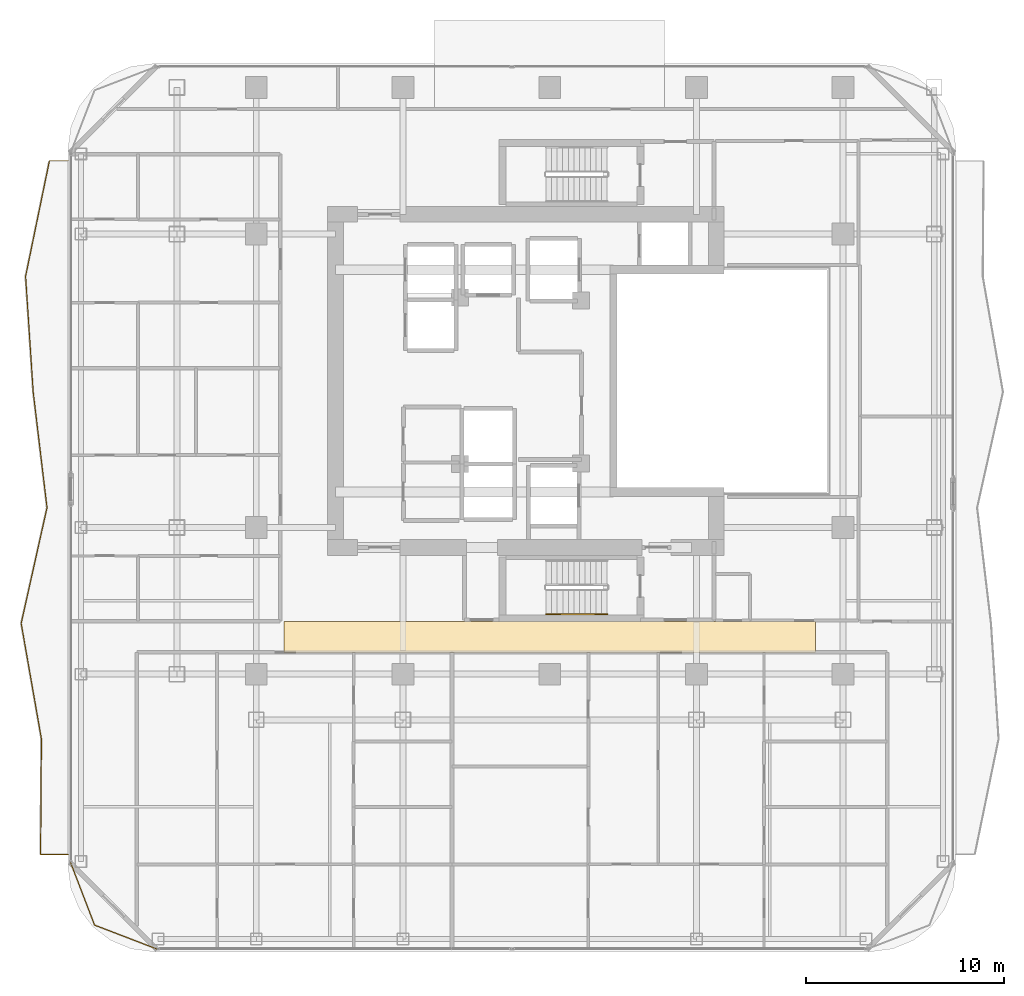
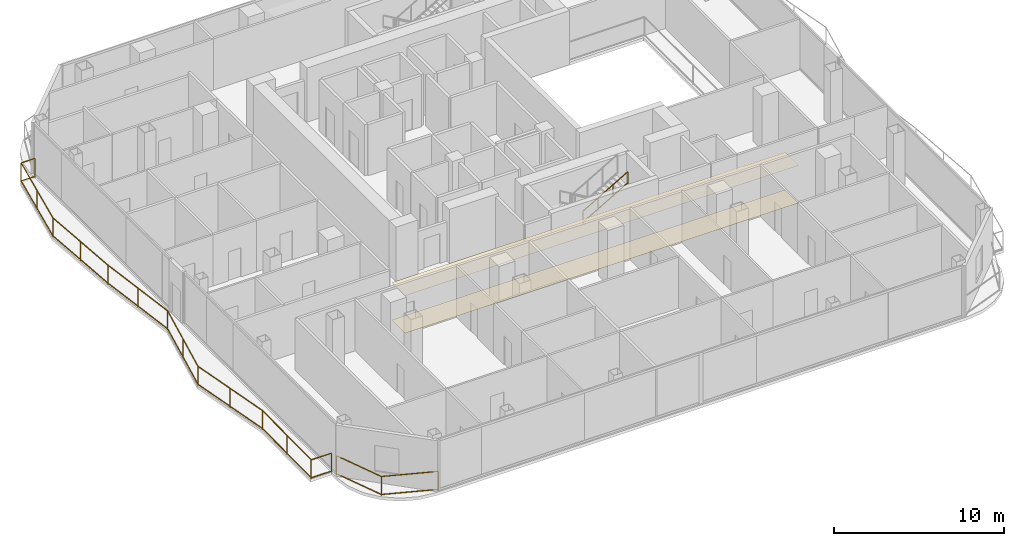
# One storey, part 21 of 23: 3 railings, 2 coverings.
"""IFC4 building model written with IfcOpenShell, lengths in metres."""

from ifc_helpers import new_model, si_unit, direction, frame, origin, origin_2d, place, context, subcontext, project, spatial, polyline, rectangle, outline, extrude, material, layer, layer_set, type_object, element, save


model = new_model("IFC4")

# Units and contexts
model_context = context("Model", 3, precision=1e-05, world=origin(), true_north=direction((0.0, 1.0)))
body_context = subcontext(model_context, "Body", "Model", "MODEL_VIEW")
ifc_project = project(units=[si_unit("LENGTHUNIT", "METRE"), si_unit("AREAUNIT", "SQUARE_METRE"), si_unit("VOLUMEUNIT", "CUBIC_METRE"), si_unit("PLANEANGLEUNIT", "RADIAN"), si_unit("MASSUNIT", "GRAM", prefix="KILO")], contexts=[model_context])

# Site, building, storey
site_placement = place(None, origin())
site = spatial("IfcSite", under=ifc_project, at=site_placement, CompositionType="ELEMENT")
building_placement = place(site_placement, origin())
building = spatial("IfcBuilding", under=site, at=building_placement, Name="Khorvyn Point Tower", CompositionType="ELEMENT")
storey_placement = place(building_placement, frame((0.0, 0.0, 195.300048828125)))
storey = spatial("IfcBuildingStorey", under=building, at=storey_placement, Name="L48", CompositionType="ELEMENT", Elevation=195.300048828125)

# Railings
ifc_material_1 = material(Name="Anodised aluminium 6063-T6 and laminated safety glass", Category="aluminium")
railing_type_1 = type_object("IfcRailingType", Name="Laminated Glass and Aluminium Balcony Guardrail 1400", PredefinedType="BALUSTRADE", material=ifc_material_1)
railing_1_placement = place(storey_placement, frame((-24.17431640625, -24.28125, 0.0)))
element("IfcRailing", 1, at=railing_1_placement, inside=storey, type_object=railing_type_1, Name="L48 Rounded Corner Edge Guardrail SW", PredefinedType="BALUSTRADE", context=body_context, shape_type="SweptSolid", body=[
    extrude(rectangle(XDim=0.048095703125, YDim=0.048095703125, at=origin_2d()), frame((0.0, 0.0, 1.3759765625), z_axis=(0.358343916815, -0.933589651443, 0.0), x_axis=(0.933589651443, 0.358343916815, 0.0)), (0.0, 0.0, 1.0), 3.400390625),
    extrude(rectangle(XDim=0.048095703125, YDim=0.048095703125, at=origin_2d()), frame((0.0, 0.0, 0.080078125), z_axis=(0.358343916815, -0.933589651443, 0.0), x_axis=(0.933589651443, 0.358343916815, 0.0)), (0.0, 0.0, 1.0), 3.400390625),
    extrude(rectangle(XDim=0.048095703125, YDim=0.048095703125, at=origin_2d()), frame((1.218505859375, -3.174560546875, 1.3759765625), z_axis=(0.933589651443, -0.358343916815, 0.0), x_axis=(0.358343916815, 0.933589651443, 0.0)), (0.0, 0.0, 1.0), 3.400390625),
    extrude(rectangle(XDim=0.048095703125, YDim=0.048095703125, at=origin_2d()), frame((1.218505859375, -3.174560546875, 0.080078125), z_axis=(0.933589651443, -0.358343916815, 0.0), x_axis=(0.358343916815, 0.933589651443, 0.0)), (0.0, 0.0, 1.0), 3.400390625),
    extrude(rectangle(XDim=0.0419921875, YDim=0.0419921875, at=origin_2d()), origin(), (0.0, 0.0, 1.0), 1.351806640625),
    extrude(rectangle(XDim=0.0419921875, YDim=0.0419921875, at=origin_2d()), frame((1.218505859375, -3.174560546875, 0.0)), (0.0, 0.0, 1.0), 1.351806640625),
    extrude(rectangle(XDim=0.0419921875, YDim=0.0419921875, at=origin_2d()), frame((4.39306640625, -4.39306640625, 0.0)), (0.0, 0.0, 1.0), 1.351806640625),
])
railing_2_placement = place(storey_placement, frame((-24.300048828125, 11.10009765625, 0.0)))
element("IfcRailing", 2, at=railing_2_placement, inside=storey, type_object=railing_type_1, Name="L48 West Balcony Guardrail", PredefinedType="BALUSTRADE", context=body_context, shape_type="SweptSolid", body=[
    extrude(rectangle(XDim=0.048095703125, YDim=0.048095703125, at=origin_2d()), frame((0.0, 0.0, 1.3759765625), z_axis=(-1.0, 0.0, 0.0), x_axis=(0.0, -1.0, 0.0)), (0.0, 0.0, 1.0), 0.932373046875),
    extrude(rectangle(XDim=0.048095703125, YDim=0.048095703125, at=origin_2d()), frame((0.0, 0.0, 0.080078125), z_axis=(-1.0, 0.0, 0.0), x_axis=(0.0, -1.0, 0.0)), (0.0, 0.0, 1.0), 0.932373046875),
    extrude(rectangle(XDim=0.048095703125, YDim=0.048095703125, at=origin_2d()), frame((-0.932373046875, 0.0, 1.3759765625), z_axis=(-0.201992928679, -0.979386980087, 0.0), x_axis=(0.979386980087, -0.201992928679, 0.0)), (0.0, 0.0, 1.0), 5.956298828125),
    extrude(rectangle(XDim=0.048095703125, YDim=0.048095703125, at=origin_2d()), frame((-0.932373046875, 0.0, 0.080078125), z_axis=(-0.201992928679, -0.979386980087, 0.0), x_axis=(0.979386980087, -0.201992928679, 0.0)), (0.0, 0.0, 1.0), 5.956298828125),
    extrude(rectangle(XDim=0.048095703125, YDim=0.048095703125, at=origin_2d()), frame((-2.135498046875, -5.83349609375, 1.3759765625), z_axis=(0.065609804276, -0.997845355545, 0.0), x_axis=(0.997845355545, 0.065609804276, 0.0)), (0.0, 0.0, 1.0), 5.845947265625),
    extrude(rectangle(XDim=0.048095703125, YDim=0.048095703125, at=origin_2d()), frame((-2.135498046875, -5.83349609375, 0.080078125), z_axis=(0.065609804276, -0.997845355545, 0.0), x_axis=(0.997845355545, 0.065609804276, 0.0)), (0.0, 0.0, 1.0), 5.845947265625),
    extrude(rectangle(XDim=0.048095703125, YDim=0.048095703125, at=origin_2d()), frame((-1.751953125, -11.666748046875, 1.3759765625), z_axis=(0.118688010745, -0.992931596891, 0.0), x_axis=(0.992931596891, 0.118688010745, 0.0)), (0.0, 0.0, 1.0), 5.874755859375),
    extrude(rectangle(XDim=0.048095703125, YDim=0.048095703125, at=origin_2d()), frame((-1.751953125, -11.666748046875, 0.080078125), z_axis=(0.118688010745, -0.992931596891, 0.0), x_axis=(0.992931596891, 0.118688010745, 0.0)), (0.0, 0.0, 1.0), 5.874755859375),
    extrude(rectangle(XDim=0.048095703125, YDim=0.048095703125, at=origin_2d()), frame((-1.0546875, -17.5, 1.3759765625), z_axis=(-0.217989898033, -0.975951025593, 0.0), x_axis=(0.975951025593, -0.217989898033, 0.0)), (0.0, 0.0, 1.0), 5.977294921875),
    extrude(rectangle(XDim=0.048095703125, YDim=0.048095703125, at=origin_2d()), frame((-1.0546875, -17.5, 0.080078125), z_axis=(-0.217989898033, -0.975951025593, 0.0), x_axis=(0.975951025593, -0.217989898033, 0.0)), (0.0, 0.0, 1.0), 5.977294921875),
    extrude(rectangle(XDim=0.048095703125, YDim=0.048095703125, at=origin_2d()), frame((-2.357666015625, -23.33349609375, 1.3759765625), z_axis=(0.172409332751, -0.985025391541, 0.0), x_axis=(0.985025391541, 0.172409332751, 0.0)), (0.0, 0.0, 1.0), 5.921875),
    extrude(rectangle(XDim=0.048095703125, YDim=0.048095703125, at=origin_2d()), frame((-2.357666015625, -23.33349609375, 0.080078125), z_axis=(0.172409332751, -0.985025391541, 0.0), x_axis=(0.985025391541, 0.172409332751, 0.0)), (0.0, 0.0, 1.0), 5.921875),
    extrude(rectangle(XDim=0.048095703125, YDim=0.048095703125, at=origin_2d()), frame((-1.336669921875, -29.166748046875, 1.3759765625), z_axis=(-0.00744967399, -0.999972250794, 0.0), x_axis=(0.999972250794, -0.00744967399, 0.0)), (0.0, 0.0, 1.0), 5.83349609375),
    extrude(rectangle(XDim=0.048095703125, YDim=0.048095703125, at=origin_2d()), frame((-1.336669921875, -29.166748046875, 0.080078125), z_axis=(-0.00744967399, -0.999972250794, 0.0), x_axis=(0.999972250794, -0.00744967399, 0.0)), (0.0, 0.0, 1.0), 5.83349609375),
    extrude(rectangle(XDim=0.048095703125, YDim=0.048095703125, at=origin_2d()), frame((-1.380126953125, -35.0, 1.3759765625), z_axis=(1.0, 0.0, 0.0), x_axis=(0.0, 1.0, 0.0)), (0.0, 0.0, 1.0), 1.380126953125),
    extrude(rectangle(XDim=0.048095703125, YDim=0.048095703125, at=origin_2d()), frame((-1.380126953125, -35.0, 0.080078125), z_axis=(1.0, 0.0, 0.0), x_axis=(0.0, 1.0, 0.0)), (0.0, 0.0, 1.0), 1.380126953125),
    extrude(rectangle(XDim=0.0419921875, YDim=0.0419921875, at=origin_2d()), origin(), (0.0, 0.0, 1.0), 1.351806640625),
    extrude(rectangle(XDim=0.0419921875, YDim=0.0419921875, at=origin_2d()), frame((-0.932373046875, 0.0, 0.0)), (0.0, 0.0, 1.0), 1.351806640625),
    extrude(rectangle(XDim=0.0419921875, YDim=0.0419921875, at=origin_2d()), frame((-1.533935546875, -2.916748046875, 0.0)), (0.0, 0.0, 1.0), 1.351806640625),
    extrude(rectangle(XDim=0.0419921875, YDim=0.0419921875, at=origin_2d()), frame((-2.135498046875, -5.83349609375, 0.0)), (0.0, 0.0, 1.0), 1.351806640625),
    extrude(rectangle(XDim=0.0419921875, YDim=0.0419921875, at=origin_2d()), frame((-1.94384765625, -8.75, 0.0)), (0.0, 0.0, 1.0), 1.351806640625),
    extrude(rectangle(XDim=0.0419921875, YDim=0.0419921875, at=origin_2d()), frame((-1.751953125, -11.666748046875, 0.0)), (0.0, 0.0, 1.0), 1.351806640625),
    extrude(rectangle(XDim=0.0419921875, YDim=0.0419921875, at=origin_2d()), frame((-1.4033203125, -14.58349609375, 0.0)), (0.0, 0.0, 1.0), 1.351806640625),
    extrude(rectangle(XDim=0.0419921875, YDim=0.0419921875, at=origin_2d()), frame((-1.0546875, -17.5, 0.0)), (0.0, 0.0, 1.0), 1.351806640625),
    extrude(rectangle(XDim=0.0419921875, YDim=0.0419921875, at=origin_2d()), frame((-1.7060546875, -20.416748046875, 0.0)), (0.0, 0.0, 1.0), 1.351806640625),
    extrude(rectangle(XDim=0.0419921875, YDim=0.0419921875, at=origin_2d()), frame((-2.357666015625, -23.33349609375, 0.0)), (0.0, 0.0, 1.0), 1.351806640625),
    extrude(rectangle(XDim=0.0419921875, YDim=0.0419921875, at=origin_2d()), frame((-1.84716796875, -26.25, 0.0)), (0.0, 0.0, 1.0), 1.351806640625),
    extrude(rectangle(XDim=0.0419921875, YDim=0.0419921875, at=origin_2d()), frame((-1.336669921875, -29.166748046875, 0.0)), (0.0, 0.0, 1.0), 1.351806640625),
    extrude(rectangle(XDim=0.0419921875, YDim=0.0419921875, at=origin_2d()), frame((-1.3583984375, -32.08349609375, 0.0)), (0.0, 0.0, 1.0), 1.351806640625),
    extrude(rectangle(XDim=0.0419921875, YDim=0.0419921875, at=origin_2d()), frame((-1.380126953125, -35.0, 0.0)), (0.0, 0.0, 1.0), 1.351806640625),
    extrude(rectangle(XDim=0.0419921875, YDim=0.0419921875, at=origin_2d()), frame((0.0, -35.0, 0.0)), (0.0, 0.0, 1.0), 1.351806640625),
])

# Coverings
ifc_material_2 = material(Name="Mineral-fibre acoustic ceiling board", Category="gypsum")
ifc_layer_1 = layer(ifc_material_2, 0.02001953125)
ifc_layer_set_1 = layer_set([ifc_layer_1], Name="Perforated Mineral-Fibre Acoustic Suspended Ceiling 20")
covering_type_1 = type_object("IfcCoveringType", Name="Perforated Mineral-Fibre Acoustic Suspended Ceiling 20", PredefinedType="CEILING", material=ifc_layer_set_1)
covering_1_placement = place(storey_placement, frame((0.0, 0.0, 2.699951171875)))
element("IfcCovering", 3, at=covering_1_placement, inside=storey, type_object=covering_type_1, Name="L48 South Corridor Acoustic Ceiling", PredefinedType="CEILING", context=body_context, shape_type="SweptSolid", body=[
    extrude(outline(polyline([(-13.39990234375, -13.7099609375), (13.39990234375, -13.7099609375), (13.39990234375, -12.139892578125), (-13.39990234375, -12.139892578125), (-13.39990234375, -13.7099609375)])), origin(), (0.0, 0.0, 1.0), 0.02001953125),
])
ifc_material_3 = material(Name="Vitrified porcelain terrazzo tile", Category="ceramic")
ifc_layer_2 = layer(ifc_material_3, 0.01806640625)
ifc_layer_set_2 = layer_set([ifc_layer_2], Name="Porcelain Terrazzo Corridor Floor Finish Tile 18")
covering_type_2 = type_object("IfcCoveringType", Name="Porcelain Terrazzo Corridor Floor Finish Tile 18", PredefinedType="FLOORING", material=ifc_layer_set_2)
covering_2_placement = place(storey_placement, origin())
element("IfcCovering", 4, at=covering_2_placement, inside=storey, type_object=covering_type_2, Name="L48 South Corridor Terrazzo Flooring", PredefinedType="FLOORING", context=body_context, shape_type="SweptSolid", body=[
    extrude(outline(polyline([(-13.39990234375, -13.7099609375), (13.39990234375, -13.7099609375), (13.39990234375, -12.139892578125), (-13.39990234375, -12.139892578125), (-13.39990234375, -13.7099609375)])), origin(), (0.0, 0.0, 1.0), 0.01806640625),
])

# Railing
ifc_material_4 = material(Name="Stainless steel 1.4301", Category="steel")
railing_type_2 = type_object("IfcRailingType", Name="Stainless Steel 304 Stair Pitch Handrail 900", PredefinedType="HANDRAIL", material=ifc_material_4)
railing_3_placement = place(storey_placement, frame((-0.179931640625, -11.77001953125, 2.112548828125)))
element("IfcRailing", 5, at=railing_3_placement, inside=storey, type_object=railing_type_2, Name="L48 ST-01 stair handrail 2", PredefinedType="HANDRAIL", context=body_context, shape_type="SweptSolid", body=[
    extrude(rectangle(XDim=0.048095703125, YDim=0.048095703125, at=origin_2d()), frame((0.0, 0.0, 0.8759765625), z_axis=(0.864903211148, 0.0, 0.501938676878), x_axis=(0.0, 1.0, 0.0)), (0.0, 0.0, 1.0), 3.560791015625),
    extrude(rectangle(XDim=0.048095703125, YDim=0.048095703125, at=origin_2d()), frame((0.0, 0.0, 0.080078125), z_axis=(0.864903211148, 0.0, 0.501938676878), x_axis=(0.0, 1.0, 0.0)), (0.0, 0.0, 1.0), 3.560791015625),
    extrude(rectangle(XDim=0.0419921875, YDim=0.0419921875, at=origin_2d()), origin(), (0.0, 0.0, 1.0), 0.851806640625),
    extrude(rectangle(XDim=0.0419921875, YDim=0.0419921875, at=origin_2d()), frame((1.026611328125, 0.0, 0.595703125)), (0.0, 0.0, 1.0), 0.851806640625),
    extrude(rectangle(XDim=0.0419921875, YDim=0.0419921875, at=origin_2d()), frame((2.05322265625, 0.0, 1.191650390625)), (0.0, 0.0, 1.0), 0.851806640625),
    extrude(rectangle(XDim=0.0419921875, YDim=0.0419921875, at=origin_2d()), frame((3.079833984375, 0.0, 1.787353515625)), (0.0, 0.0, 1.0), 0.851806640625),
])

save(model, "model.ifc")
